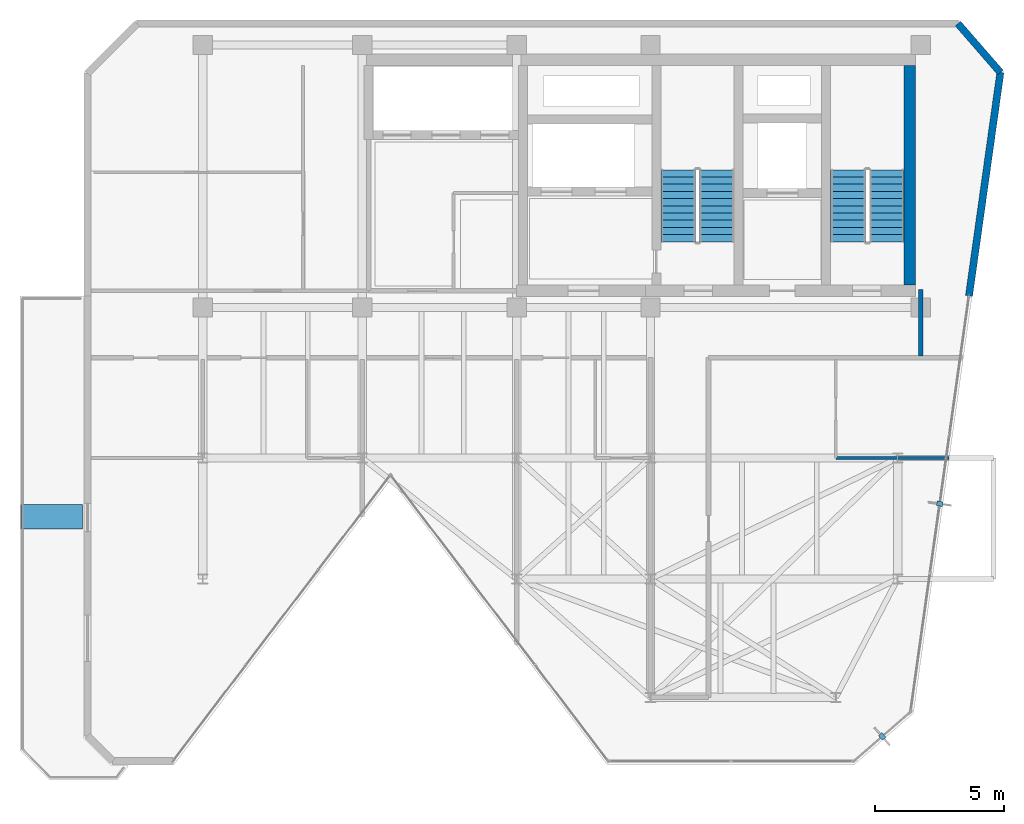
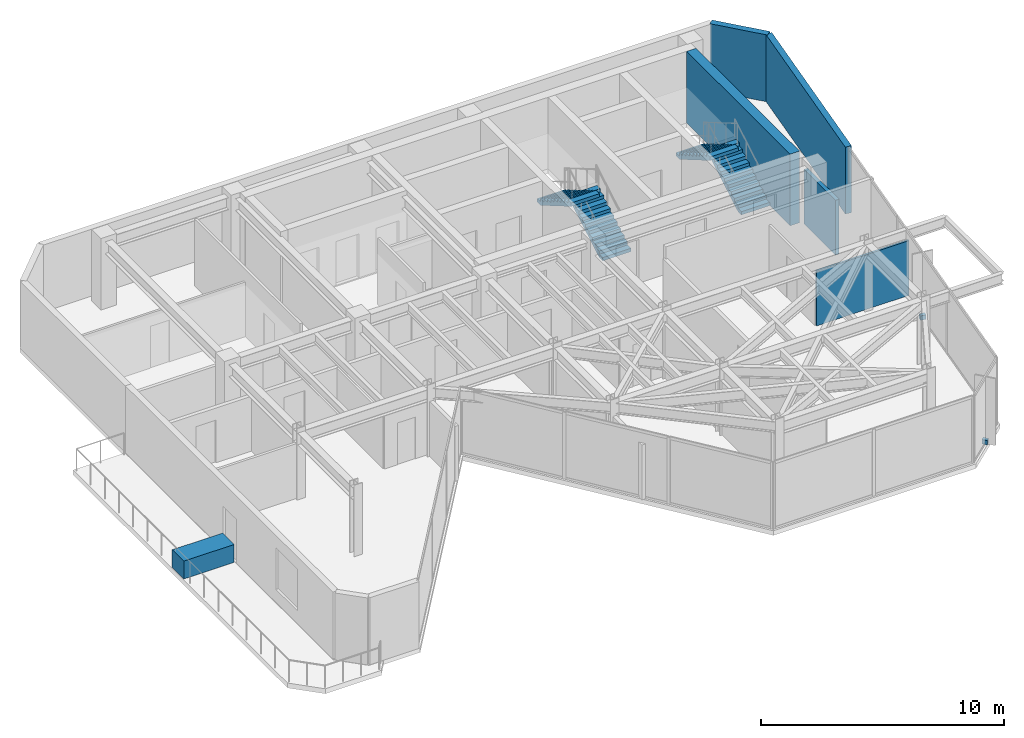
# One storey, part 14 of 16: 5 walls, 4 stair flights, 3 discrete accessories, 2 elements without a shape of their own.
"""IFC4 building model written with IfcOpenShell, lengths in metres."""

from ifc_helpers import new_model, si_unit, direction, frame, frame_2d, origin, origin_2d, place, context, subcontext, project, spatial, polyline, rectangle, outline, extrude, material, layer, layer_set, type_object, element, aggregate, save


model = new_model("IFC4")

# Units and contexts
model_context = context("Model", 3, precision=1e-05, world=origin(), true_north=direction((0.0, 1.0)))
body_context = subcontext(model_context, "Body", "Model", "MODEL_VIEW")
ifc_project = project(units=[si_unit("LENGTHUNIT", "METRE"), si_unit("AREAUNIT", "SQUARE_METRE"), si_unit("VOLUMEUNIT", "CUBIC_METRE"), si_unit("PLANEANGLEUNIT", "RADIAN"), si_unit("MASSUNIT", "GRAM", prefix="KILO")], contexts=[model_context])

# Site, building, storey
site_placement = place(None, origin())
site = spatial("IfcSite", under=ifc_project, at=site_placement, CompositionType="ELEMENT")
building_placement = place(site_placement, origin())
building = spatial("IfcBuilding", under=site, at=building_placement, Name="Kravanh Interchange Tower", CompositionType="ELEMENT")
storey_placement = place(building_placement, frame((0.0, 0.0, 296.699951171875)))
storey = spatial("IfcBuildingStorey", under=building, at=storey_placement, Name="L73", CompositionType="ELEMENT", Elevation=296.699951171875)

# Walls
ifc_material_1 = material(Name="Concrete C60/75", Category="concrete")
ifc_layer_1 = layer(ifc_material_1, 0.449951171875)
ifc_layer_set_1 = layer_set([ifc_layer_1], Name="Core Shear Wall Concrete C60/75 450mm")
wall_type_1 = type_object("IfcWallType", Name="Core Shear Wall Concrete C60/75 450mm", PredefinedType="SHEAR", material=ifc_layer_set_1)
wall_1_placement = place(storey_placement, frame((66.074951171875, 38.22509765625, 0.0), z_axis=(0.0, 0.0, 1.0), x_axis=(0.0, 1.0, 0.0)))
element("IfcWall", 1, at=wall_1_placement, inside=storey, type_object=wall_type_1, Name="L73 Stair ST1 East Shear Wall", PredefinedType="SHEAR", context=body_context, shape_type="SweptSolid", body=[
    extrude(rectangle(XDim=8.52490234375, YDim=0.449951171875, at=frame_2d((4.262451171875, 0.0))), origin(), (0.0, 0.0, 1.0), 3.60009765625),
])
ifc_material_2 = material(Name="Moisture-Resistant Gypsum Board and Mineral Wool")
ifc_layer_2 = layer(ifc_material_2, 0.10009765625)
ifc_layer_set_2 = layer_set([ifc_layer_2], Name="En-Suite Moisture-Resistant Partition 100mm")
wall_type_2 = type_object("IfcWallType", Name="En-Suite Moisture-Resistant Partition 100mm", PredefinedType="PARTITIONING", material=ifc_layer_set_2)
wall_2_placement = place(storey_placement, frame((63.199951171875, 31.5, 0.0), z_axis=(0.0, 0.0, 1.0), x_axis=(1.0, 0.0, 0.0)))
element("IfcWall", 2, at=wall_2_placement, inside=storey, type_object=wall_type_2, Name="L73 Interior Partition 17", PredefinedType="PARTITIONING", context=body_context, shape_type="SweptSolid", body=[
    extrude(rectangle(XDim=4.395751953125, YDim=0.10009765625, at=frame_2d((2.19775390625, 0.0))), origin(), (0.0, 0.0, 1.0), 2.754150390625),
])
ifc_material_3 = material(Name="Insulated Precast Concrete C40/50 with Bronze Cladding", Category="concrete")
ifc_layer_3 = layer(ifc_material_3, 0.280029296875)
ifc_layer_set_3 = layer_set([ifc_layer_3], Name="Exterior Insulated Concrete C40/50 Bronze Spandrel Wall 280mm")
wall_type_3 = type_object("IfcWallType", Name="Exterior Insulated Concrete C40/50 Bronze Spandrel Wall 280mm", PredefinedType="STANDARD", material=ifc_layer_set_3)
wall_3_placement = place(storey_placement, frame((67.9453125, 48.3798828125, 0.0), z_axis=(0.0, 0.0, 1.0), x_axis=(0.656068147197, -0.75470165379, 0.0)))
element("IfcWall", 3, at=wall_3_placement, inside=storey, type_object=wall_type_3, Name="L73 Exterior Wall 5", PredefinedType="STANDARD", context=body_context, shape_type="SweptSolid", body=[
    extrude(rectangle(XDim=2.514892578125, YDim=0.280029296875, at=frame_2d((1.25732421875, 0.0))), origin(), (0.0, 0.0, 1.0), 3.364990234375),
])
wall_4_placement = place(storey_placement, frame((69.59521484375, 46.48193359375, 0.0), z_axis=(0.0, 0.0, 1.0), x_axis=(-0.139179310088, -0.990267196086, 0.0)))
element("IfcWall", 4, at=wall_4_placement, inside=storey, type_object=wall_type_3, Name="L73 Exterior Wall 6", PredefinedType="STANDARD", context=body_context, shape_type="SweptSolid", body=[
    extrude(rectangle(XDim=8.767333984375, YDim=0.280029296875, at=frame_2d((4.3837890625, 0.0))), origin(), (0.0, 0.0, 1.0), 3.364990234375),
])
ifc_material_4 = material(Name="Autoclaved Aerated Concrete C30/37 Blockwork", Category="masonry")
ifc_layer_4 = layer(ifc_material_4, 0.179931640625)
ifc_layer_set_4 = layer_set([ifc_layer_4], Name="Fire-Rated Lobby and Corridor Wall Concrete C30/37 180mm")
wall_type_4 = type_object("IfcWallType", Name="Fire-Rated Lobby and Corridor Wall Concrete C30/37 180mm", PredefinedType="STANDARD", material=ifc_layer_set_4)
wall_5_placement = place(storey_placement, frame((66.5, 35.468017578125, 0.0), z_axis=(0.0, 0.0, 1.0), x_axis=(0.0, 1.0, 0.0)))
element("IfcWall", 5, at=wall_5_placement, inside=storey, type_object=wall_type_4, Name="L73 Interior Partition 11", PredefinedType="STANDARD", context=body_context, shape_type="SweptSolid", body=[
    extrude(rectangle(XDim=2.58203125, YDim=0.179931640625, at=frame_2d((1.291015625, 0.0))), origin(), (0.0, 0.0, 1.0), 2.754150390625),
])

# Stair, stair flights
ifc_material_5 = material(Name="Concrete C50/60", Category="concrete")
stair_type = type_object("IfcStairType", Name="Core Fire Exit Dogleg Stair Concrete C50/60", PredefinedType="HALF_TURN_STAIR", material=ifc_material_5)
stair_1_placement = place(storey_placement, origin())
stair_1 = element("IfcStair", 6, at=stair_1_placement, inside=storey, type_object=stair_type, Name="L73 Exit Stair ST1", PredefinedType="HALF_TURN_STAIR")
ifc_material_6 = material(Name="Precast Concrete C50/60", Category="concrete")
ifc_layer_5 = layer(ifc_material_6, 0.199951171875)
ifc_layer_set_5 = layer_set([ifc_layer_5], Name="Precast Concrete C50/60 Stair Flight 1350mm")
stair_flight_type = type_object("IfcStairFlightType", Name="Precast Concrete C50/60 Stair Flight 1350mm", PredefinedType="STRAIGHT", material=ifc_layer_set_5)
stair_flight_1_placement = place(storey_placement, frame((65.175048828125, 39.89990234375, 0.0), z_axis=(0.0, 0.0, 1.0), x_axis=(0.0, 1.0, 0.0)))
stair_flight_1 = element("IfcStairFlight", 7, at=stair_flight_1_placement, type_object=stair_flight_type, Name="ST1 flight 1", NumberOfRisers=11, NumberOfTreads=10, PredefinedType="STRAIGHT", RiserHeight=0.163636364, TreadLength=0.28, context=body_context, shape_type="SweptSolid", body=[
    extrude(outline(polyline([(0.0, 0.0), (0.0, 0.16357421875), (0.280029296875, 0.16357421875), (0.280029296875, 0.327392578125), (0.56005859375, 0.327392578125), (0.56005859375, 0.490966796875), (0.840087890625, 0.490966796875), (0.840087890625, 0.654541015625), (1.1201171875, 0.654541015625), (1.1201171875, 0.818115234375), (1.39990234375, 0.818115234375), (1.39990234375, 0.98193359375), (1.679931640625, 0.98193359375), (1.679931640625, 1.1455078125), (1.9599609375, 1.1455078125), (1.9599609375, 1.30908203125), (2.239990234375, 1.30908203125), (2.239990234375, 1.47265625), (2.52001953125, 1.47265625), (2.52001953125, 1.636474609375), (2.800048828125, 1.636474609375), (2.800048828125, 1.800048828125), (2.800048828125, 1.462646484375), (0.297119140625, 0.0), (0.0, 0.0)])), frame((0.0, 0.675048828125, 0.0), z_axis=(0.0, -1.0, 0.0), x_axis=(1.0, 0.0, 0.0)), (0.0, 0.0, 1.0), 1.35009765625),
])
stair_flight_2_placement = place(storey_placement, frame((63.675048828125, 42.699951171875, 1.800048828125), z_axis=(0.0, 0.0, 1.0), x_axis=(0.0, -1.0, 0.0)))
stair_flight_2 = element("IfcStairFlight", 8, at=stair_flight_2_placement, type_object=stair_flight_type, Name="ST1 flight 2", NumberOfRisers=11, NumberOfTreads=10, PredefinedType="STRAIGHT", RiserHeight=0.163636364, TreadLength=0.28, context=body_context, shape_type="SweptSolid", body=[
    extrude(outline(polyline([(0.0, 0.0), (0.0, 0.16357421875), (0.280029296875, 0.16357421875), (0.280029296875, 0.327392578125), (0.56005859375, 0.327392578125), (0.56005859375, 0.490966796875), (0.840087890625, 0.490966796875), (0.840087890625, 0.654541015625), (1.1201171875, 0.654541015625), (1.1201171875, 0.818115234375), (1.39990234375, 0.818115234375), (1.39990234375, 0.98193359375), (1.679931640625, 0.98193359375), (1.679931640625, 1.1455078125), (1.9599609375, 1.1455078125), (1.9599609375, 1.30908203125), (2.239990234375, 1.30908203125), (2.239990234375, 1.47265625), (2.52001953125, 1.47265625), (2.52001953125, 1.636474609375), (2.800048828125, 1.636474609375), (2.800048828125, 1.800048828125), (2.800048828125, 1.462646484375), (0.297119140625, 0.0), (0.0, 0.0)])), frame((0.0, 0.675048828125, 0.0), z_axis=(0.0, -1.0, 0.0), x_axis=(1.0, 0.0, 0.0)), (0.0, 0.0, 1.0), 1.35009765625),
])
aggregate(stair_1, [stair_flight_1, stair_flight_2])

stair_2_placement = place(storey_placement, origin())
stair_2 = element("IfcStair", 9, at=stair_2_placement, inside=storey, type_object=stair_type, Name="L73 Exit Stair ST2", PredefinedType="HALF_TURN_STAIR")
stair_flight_3_placement = place(storey_placement, frame((58.574951171875, 39.89990234375, 0.0), z_axis=(0.0, 0.0, 1.0), x_axis=(0.0, 1.0, 0.0)))
stair_flight_3 = element("IfcStairFlight", 10, at=stair_flight_3_placement, type_object=stair_flight_type, Name="ST2 flight 1", NumberOfRisers=11, NumberOfTreads=10, PredefinedType="STRAIGHT", RiserHeight=0.163636364, TreadLength=0.28, context=body_context, shape_type="SweptSolid", body=[
    extrude(outline(polyline([(0.0, 0.0), (0.0, 0.16357421875), (0.280029296875, 0.16357421875), (0.280029296875, 0.327392578125), (0.56005859375, 0.327392578125), (0.56005859375, 0.490966796875), (0.840087890625, 0.490966796875), (0.840087890625, 0.654541015625), (1.1201171875, 0.654541015625), (1.1201171875, 0.818115234375), (1.39990234375, 0.818115234375), (1.39990234375, 0.98193359375), (1.679931640625, 0.98193359375), (1.679931640625, 1.1455078125), (1.9599609375, 1.1455078125), (1.9599609375, 1.30908203125), (2.239990234375, 1.30908203125), (2.239990234375, 1.47265625), (2.52001953125, 1.47265625), (2.52001953125, 1.636474609375), (2.800048828125, 1.636474609375), (2.800048828125, 1.800048828125), (2.800048828125, 1.462646484375), (0.297119140625, 0.0), (0.0, 0.0)])), frame((0.0, 0.675048828125, 0.0), z_axis=(0.0, -1.0, 0.0), x_axis=(1.0, 0.0, 0.0)), (0.0, 0.0, 1.0), 1.35009765625),
])
stair_flight_4_placement = place(storey_placement, frame((57.074951171875, 42.699951171875, 1.800048828125), z_axis=(0.0, 0.0, 1.0), x_axis=(0.0, -1.0, 0.0)))
stair_flight_4 = element("IfcStairFlight", 11, at=stair_flight_4_placement, type_object=stair_flight_type, Name="ST2 flight 2", NumberOfRisers=11, NumberOfTreads=10, PredefinedType="STRAIGHT", RiserHeight=0.163636364, TreadLength=0.28, context=body_context, shape_type="SweptSolid", body=[
    extrude(outline(polyline([(0.0, 0.0), (0.0, 0.16357421875), (0.280029296875, 0.16357421875), (0.280029296875, 0.327392578125), (0.56005859375, 0.327392578125), (0.56005859375, 0.490966796875), (0.840087890625, 0.490966796875), (0.840087890625, 0.654541015625), (1.1201171875, 0.654541015625), (1.1201171875, 0.818115234375), (1.39990234375, 0.818115234375), (1.39990234375, 0.98193359375), (1.679931640625, 0.98193359375), (1.679931640625, 1.1455078125), (1.9599609375, 1.1455078125), (1.9599609375, 1.30908203125), (2.239990234375, 1.30908203125), (2.239990234375, 1.47265625), (2.52001953125, 1.47265625), (2.52001953125, 1.636474609375), (2.800048828125, 1.636474609375), (2.800048828125, 1.800048828125), (2.800048828125, 1.462646484375), (0.297119140625, 0.0), (0.0, 0.0)])), frame((0.0, 0.675048828125, 0.0), z_axis=(0.0, -1.0, 0.0), x_axis=(1.0, 0.0, 0.0)), (0.0, 0.0, 1.0), 1.35009765625),
])
aggregate(stair_2, [stair_flight_3, stair_flight_4])

# Discrete accessories
ifc_material_7 = material(Name="Stainless Steel 316", Category="steel")
discrete_accessory_type_1 = type_object("IfcDiscreteAccessoryType", Name="Solar Fin Curtain-Wall Mounting Bracket Stainless 316", PredefinedType="BRACKET", material=ifc_material_7)
for number, where, z_axis, x_axis, name in (
    (12, (67.239501953125, 29.720703125, 0.0), (0.0, 0.0, 1.0), (0.990267783496, -0.139175130571, 0.0), "L73 Solar Fin Mounting Bracket 1"),
    (13, (64.998779296875, 20.680908203125, 0.0), (0.0, 0.0, 1.0), (0.656059788471, -0.754708920016, 0.0), "L73 Solar Fin Mounting Bracket 2"),
):
    element("IfcDiscreteAccessory", number, at=place(storey_placement, frame(where, z_axis=z_axis, x_axis=x_axis)), inside=storey, type_object=discrete_accessory_type_1, Name=name, PredefinedType="BRACKET", context=body_context, shape_type="SweptSolid", body=[
        extrude(rectangle(XDim=0.239990234375, YDim=0.179931640625, at=origin_2d()), origin(), (0.0, 0.0, 1.0), 0.219970703125),
    ])
ifc_material_8 = material(Name="Architectural GRC Concrete C40/50 with Root Barrier", Category="concrete")
discrete_accessory_type_2 = type_object("IfcDiscreteAccessoryType", Name="Stepped Terrace Tree Planter Box Concrete C40/50 2400x950x900", PredefinedType="USERDEFINED", material=ifc_material_8)
discrete_accessory_placement = place(storey_placement, frame((32.72998046875, 29.217041015625, 0.0), z_axis=(0.0, 0.0, 1.0), x_axis=(1.0, 0.0, 0.0)))
element("IfcDiscreteAccessory", 14, at=discrete_accessory_placement, inside=storey, type_object=discrete_accessory_type_2, Name="L73 Stepped Terrace TREE PLANTER 1", ObjectType="PLANTER", PredefinedType="USERDEFINED", context=body_context, shape_type="SweptSolid", body=[
    extrude(rectangle(XDim=2.39990234375, YDim=0.949951171875, at=origin_2d()), origin(), (0.0, 0.0, 1.0), 0.89990234375),
])

save(model, "model.ifc")
